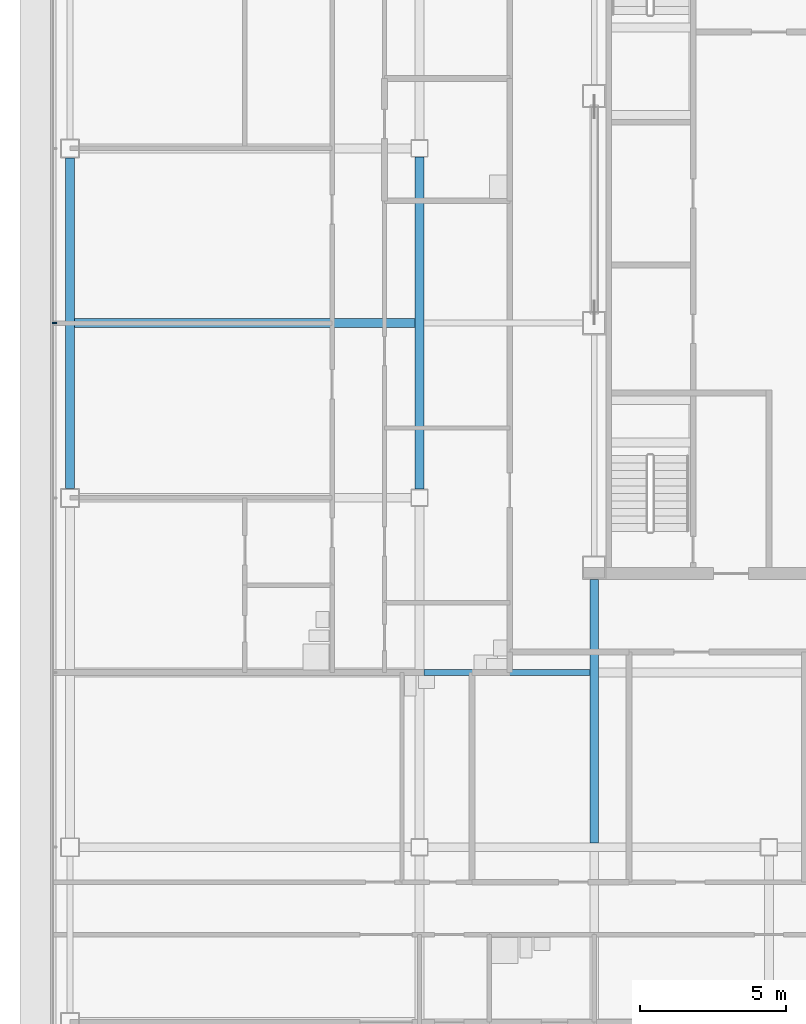
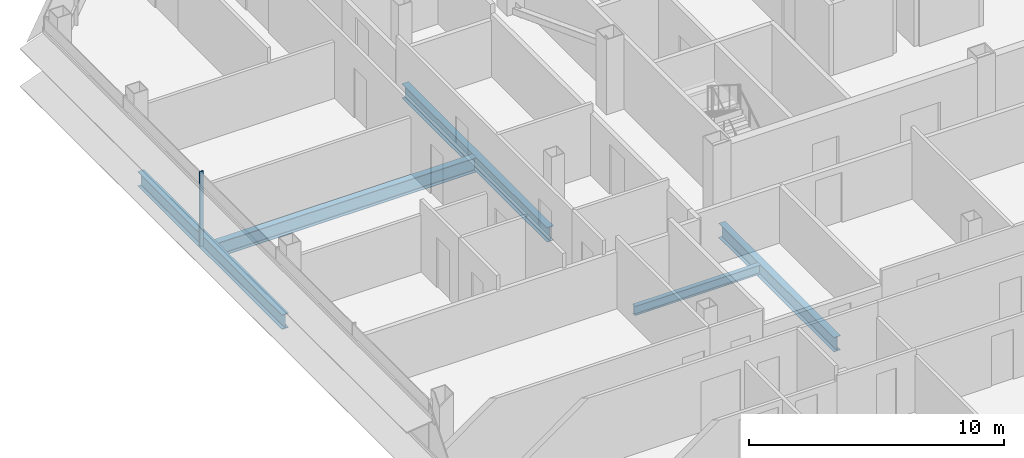
# One storey, part 6 of 26: 5 beams, 1 member, 1 element without a shape of its own.
"""IFC4 building model written with IfcOpenShell, lengths in metres."""

from ifc_helpers import new_model, si_unit, direction, frame, origin, origin_2d, place, context, subcontext, project, spatial, rectangle, i_section, extrude, material, material_profile, profile_set, type_object, element, aggregate, save


model = new_model("IFC4")

# Units and contexts
model_context = context("Model", 3, precision=1e-05, world=origin(), true_north=direction((0.0, 1.0)))
body_context = subcontext(model_context, "Body", "Model", "MODEL_VIEW")
ifc_project = project(units=[si_unit("LENGTHUNIT", "METRE"), si_unit("AREAUNIT", "SQUARE_METRE"), si_unit("VOLUMEUNIT", "CUBIC_METRE"), si_unit("PLANEANGLEUNIT", "RADIAN"), si_unit("MASSUNIT", "GRAM", prefix="KILO")], contexts=[model_context])

# Site, building, storey
site_placement = place(None, origin())
site = spatial("IfcSite", under=ifc_project, at=site_placement, CompositionType="ELEMENT")
building_placement = place(site_placement, origin())
building = spatial("IfcBuilding", under=site, at=building_placement, Name="Sorahane Residences", CompositionType="ELEMENT")
storey_placement = place(building_placement, frame((0.0, 0.0, 219.0)))
storey = spatial("IfcBuildingStorey", under=building, at=storey_placement, Name="L51", CompositionType="ELEMENT", Elevation=219.0)

# Curtain wall, member
ifc_material_1 = material(Name="Dark low-e glass and black anodised aluminium", Category="aluminium")
curtain_wall_type = type_object("IfcCurtainWallType", Name="Curtain wall CW-1 Typical unitised wall", PredefinedType="NOTDEFINED", material=ifc_material_1)
curtain_wall_placement = place(storey_placement, origin())
curtain_wall = element("IfcCurtainWall", 1, at=curtain_wall_placement, inside=storey, type_object=curtain_wall_type, Name="CW-1 curtain wall L51 W1", PredefinedType="NOTDEFINED")
ifc_material_2 = material(Name="Black anodised aluminium", Category="aluminium")
ifc_material_profile_1 = material_profile(ifc_material_2, rectangle(XDim=0.159912109375, YDim=0.050048828125, at=origin_2d()), Name="Curtain wall mullion CW-1 black anodised aluminium 50x160")
ifc_profile_set_1 = profile_set([ifc_material_profile_1], Name="Black anodised aluminium")
member_type = type_object("IfcMemberType", Name="Curtain wall mullion CW-1 black anodised aluminium 50x160", PredefinedType="MULLION", material=ifc_profile_set_1)
member_placement = place(storey_placement, frame((-12.5400390625, 30.0, -0.179931640625), z_axis=(0.0, 0.0, 1.0), x_axis=(-1.0, 0.0, 0.0)))
member = element("IfcMember", 2, at=member_placement, type_object=member_type, Name="CW-1 mullion L51 W1.3", PredefinedType="MULLION", context=body_context, shape_type="SweptSolid", body=[
    extrude(rectangle(XDim=0.159912109375, YDim=0.050048828125, at=origin_2d()), origin(), (0.0, 0.0, 1.0), 3.599853515625),
])
aggregate(curtain_wall, [member])

# Beams
ifc_material_3 = material(Name="Steel Q355B", Category="steel")
ifc_material_profile_2 = material_profile(ifc_material_3, i_section(OverallWidth=0.199951171875, OverallDepth=0.449951171875, WebThickness=0.009033203125, FlangeThickness=0.013916015625, FilletRadius=0.02001953125, at=origin_2d()), Name="HN 450x200x9x14")
ifc_profile_set_2 = profile_set([ifc_material_profile_2], Name="Steel Q355B")
beam_type_1 = type_object("IfcBeamType", Name="Steel floor beam HN 450x200x9x14 Q355B", PredefinedType="BEAM", material=ifc_profile_set_2)
beam_1_placement = place(storey_placement, frame((0.14990234375, 18.0, -0.405029296875), z_axis=(1.0, 0.0, 0.0), x_axis=(0.0, 1.0, 0.0)))
element("IfcBeam", 3, at=beam_1_placement, inside=storey, type_object=beam_type_1, Name="Beam L51 079", PredefinedType="BEAM", context=body_context, shape_type="SweptSolid", body=[
    extrude(i_section(OverallWidth=0.199951171875, OverallDepth=0.449951171875, WebThickness=0.009033203125, FlangeThickness=0.013916015625, FilletRadius=0.02001953125, at=origin_2d()), origin(), (0.0, 0.0, 1.0), 5.7001953125),
])
ifc_material_4 = material(Name="Steel Q355B", Category="steel")
ifc_material_profile_3 = material_profile(ifc_material_4, i_section(OverallWidth=0.300048828125, OverallDepth=0.699951171875, WebThickness=0.012939453125, FlangeThickness=0.02392578125, FilletRadius=0.028076171875, at=origin_2d()), Name="HN 700x300x13x24")
ifc_profile_set_3 = profile_set([ifc_material_profile_3], Name="Steel Q355B")
beam_type_2 = type_object("IfcBeamType", Name="Steel floor beam HN 700x300x13x24 Q355B", PredefinedType="BEAM", material=ifc_profile_set_3)
beam_2_placement = place(storey_placement, frame((-12.0, 24.324951171875, -0.530029296875), z_axis=(0.0, 1.0, 0.0), x_axis=(-1.0, 0.0, 0.0)))
element("IfcBeam", 4, at=beam_2_placement, inside=storey, type_object=beam_type_2, Name="Beam L51 022", PredefinedType="BEAM", context=body_context, shape_type="SweptSolid", body=[
    extrude(i_section(OverallWidth=0.300048828125, OverallDepth=0.699951171875, WebThickness=0.012939453125, FlangeThickness=0.02392578125, FilletRadius=0.028076171875, at=origin_2d()), origin(), (0.0, 0.0, 1.0), 11.35009765625),
])
beam_3_placement = place(storey_placement, frame((0.0, 24.300048828125, -0.530029296875), z_axis=(0.0, 1.0, 0.0), x_axis=(-1.0, 0.0, 0.0)))
element("IfcBeam", 5, at=beam_3_placement, inside=storey, type_object=beam_type_2, Name="Beam L51 026", PredefinedType="BEAM", context=body_context, shape_type="SweptSolid", body=[
    extrude(i_section(OverallWidth=0.300048828125, OverallDepth=0.699951171875, WebThickness=0.012939453125, FlangeThickness=0.02392578125, FilletRadius=0.028076171875, at=origin_2d()), origin(), (0.0, 0.0, 1.0), 11.39990234375),
])
beam_4_placement = place(storey_placement, frame((6.0, 12.14990234375, -0.530029296875), z_axis=(0.0, 1.0, 0.0), x_axis=(-1.0, 0.0, 0.0)))
element("IfcBeam", 6, at=beam_4_placement, inside=storey, type_object=beam_type_2, Name="Beam L51 029", PredefinedType="BEAM", context=body_context, shape_type="SweptSolid", body=[
    extrude(i_section(OverallWidth=0.300048828125, OverallDepth=0.699951171875, WebThickness=0.012939453125, FlangeThickness=0.02392578125, FilletRadius=0.028076171875, at=origin_2d()), origin(), (0.0, 0.0, 1.0), 9.050048828125),
])
beam_5_placement = place(storey_placement, frame((-11.85009765625, 30.0, -0.530029296875), z_axis=(1.0, 0.0, 0.0), x_axis=(0.0, 1.0, 0.0)))
element("IfcBeam", 7, at=beam_5_placement, inside=storey, type_object=beam_type_2, Name="Beam L51 085", PredefinedType="BEAM", context=body_context, shape_type="SweptSolid", body=[
    extrude(i_section(OverallWidth=0.300048828125, OverallDepth=0.699951171875, WebThickness=0.012939453125, FlangeThickness=0.02392578125, FilletRadius=0.028076171875, at=origin_2d()), origin(), (0.0, 0.0, 1.0), 11.7001953125),
])

save(model, "model.ifc")
